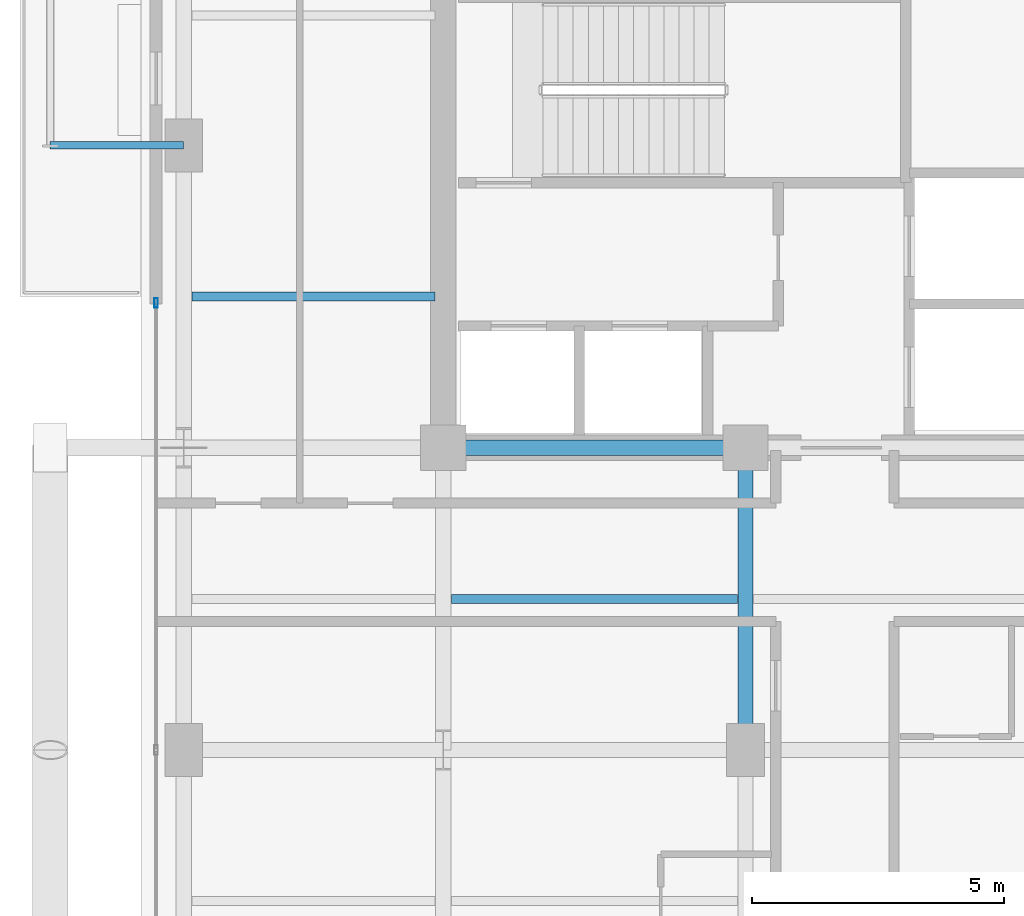
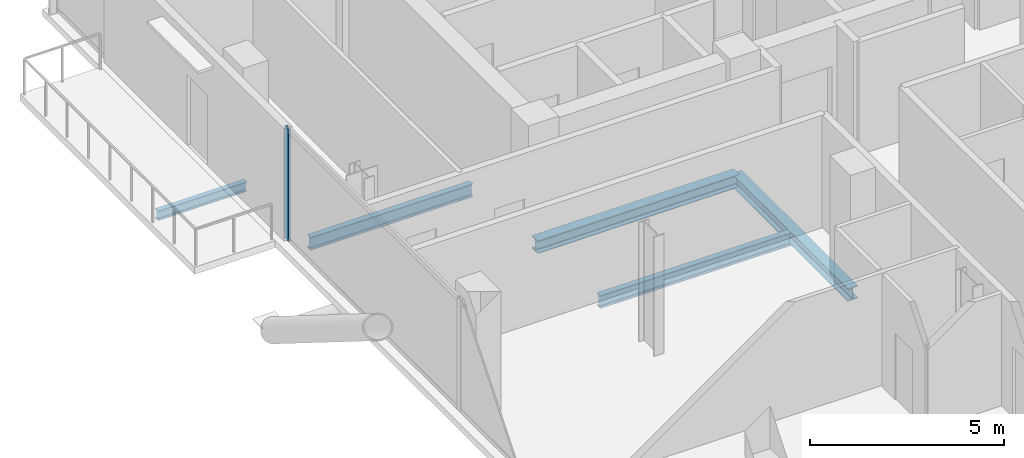
# One storey, part 7 of 25: 5 beams, 1 member, 1 element without a shape of its own.
"""IFC4 building model written with IfcOpenShell, lengths in metres."""

from ifc_helpers import new_model, si_unit, direction, frame, origin, origin_2d, place, context, subcontext, project, spatial, hollow_rectangle, i_section, extrude, material, layer, layer_set, material_profile, profile_set, type_object, element, aggregate, save


model = new_model("IFC4")

# Units and contexts
model_context = context("Model", 3, precision=1e-05, world=origin(), true_north=direction((0.0, 1.0)))
body_context = subcontext(model_context, "Body", "Model", "MODEL_VIEW")
ifc_project = project(units=[si_unit("LENGTHUNIT", "METRE"), si_unit("AREAUNIT", "SQUARE_METRE"), si_unit("VOLUMEUNIT", "CUBIC_METRE"), si_unit("PLANEANGLEUNIT", "RADIAN"), si_unit("MASSUNIT", "GRAM", prefix="KILO"), si_unit("THERMODYNAMICTEMPERATUREUNIT", "KELVIN"), si_unit("POWERUNIT", "WATT")], contexts=[model_context])

# Site, building, storey
site_placement = place(None, origin())
site = spatial("IfcSite", under=ifc_project, at=site_placement, CompositionType="ELEMENT")
building_placement = place(site_placement, origin())
building = spatial("IfcBuilding", under=site, at=building_placement, Name="Svarakhadi Broadcast Tower", CompositionType="ELEMENT")
storey_placement = place(building_placement, frame((0.0, 0.0, 212.39990234375)))
storey = spatial("IfcBuildingStorey", under=building, at=storey_placement, Name="L52", CompositionType="ELEMENT", Elevation=212.39990234375)

# Beams
ifc_material_1 = material(Name="Steel S355J2 (IS 2062 E350C)", Category="steel")
ifc_material_profile_1 = material_profile(ifc_material_1, i_section(OverallWidth=0.179931640625, OverallDepth=0.39990234375, WebThickness=0.008544921875, FlangeThickness=0.013427734375, FilletRadius=0.02099609375, at=origin_2d()), Name="NPB 400x180x66")
ifc_profile_set_1 = profile_set([ifc_material_profile_1], Name="Steel S355J2 (IS 2062 E350C)")
beam_type_1 = type_object("IfcBeamType", Name="Beam_NPB400", PredefinedType="BEAM", material=ifc_profile_set_1)
beam_1_placement = place(storey_placement, frame((1.010009765625, 21.0, -0.409912109375), z_axis=(1.0, 0.0, 0.0), x_axis=(0.0, 1.0, 0.0)))
element("IfcBeam", 1, at=beam_1_placement, inside=storey, type_object=beam_type_1, Name="L52 Secondary Composite Beam SB003", PredefinedType="BEAM", context=body_context, shape_type="SweptSolid", body=[
    extrude(i_section(OverallWidth=0.179931640625, OverallDepth=0.39990234375, WebThickness=0.008544921875, FlangeThickness=0.013427734375, FilletRadius=0.02099609375, at=origin_2d()), origin(), (0.0, 0.0, 1.0), 4.830078125),
])
beam_2_placement = place(storey_placement, frame((6.159912109375, 15.0, -0.409912109375), z_axis=(1.0, 0.0, 0.0), x_axis=(0.0, 1.0, 0.0)))
element("IfcBeam", 2, at=beam_2_placement, inside=storey, type_object=beam_type_1, Name="L52 Secondary Composite Beam SB007", PredefinedType="BEAM", context=body_context, shape_type="SweptSolid", body=[
    extrude(i_section(OverallWidth=0.179931640625, OverallDepth=0.39990234375, WebThickness=0.008544921875, FlangeThickness=0.013427734375, FilletRadius=0.02099609375, at=origin_2d()), origin(), (0.0, 0.0, 1.0), 5.68017578125),
])

# Curtain wall, member
ifc_material_2 = material(Name="Anodised Bronze Aluminium AA 6063-T6", Category="aluminium")
ifc_layer = layer(ifc_material_2, 0.18994140625)
ifc_layer_set = layer_set([ifc_layer], Name="Anodised Bronze Aluminium AA 6063-T6")
curtain_wall_type = type_object("IfcCurtainWallType", Name="CW_Sys_04", PredefinedType="NOTDEFINED", material=ifc_layer_set)
curtain_wall_placement = place(storey_placement, origin())
curtain_wall = element("IfcCurtainWall", 3, at=curtain_wall_placement, inside=storey, type_object=curtain_wall_type, Name="L52 West Curtain Wall 02", PredefinedType="NOTDEFINED")
ifc_material_profile_2 = material_profile(ifc_material_2, hollow_rectangle(XDim=0.070068359375, YDim=0.18994140625, WallThickness=0.005615234375, at=origin_2d()), Name="ALU MULLION 190x70x6")
ifc_profile_set_2 = profile_set([ifc_material_profile_2], Name="Anodised Bronze Aluminium AA 6063-T6")
member_type = type_object("IfcMemberType", Name="CW_Sys_04_Mul", PredefinedType="MULLION", material=ifc_profile_set_2)
member_placement = place(storey_placement, frame((0.300048828125, 20.875, 0.0), z_axis=(0.0, 0.0, 1.0), x_axis=(-1.0, 0.0, 0.0)))
member = element("IfcMember", 4, at=member_placement, type_object=member_type, Name="CW-04 mullion 3", PredefinedType="MULLION", context=body_context, shape_type="SweptSolid", body=[
    extrude(hollow_rectangle(XDim=0.070068359375, YDim=0.18994140625, WallThickness=0.005615234375, at=origin_2d()), origin(), (0.0, 0.0, 1.0), 3.5400390625),
])
aggregate(curtain_wall, [member])

# Beams
ifc_material_profile_3 = material_profile(ifc_material_1, i_section(OverallWidth=0.300048828125, OverallDepth=0.39990234375, WebThickness=0.013427734375, FlangeThickness=0.02392578125, FilletRadius=0.027099609375, at=origin_2d()), Name="WPB 400x300x155")
ifc_profile_set_3 = profile_set([ifc_material_profile_3], Name="Steel S355J2 (IS 2062 E350C)")
beam_type_2 = type_object("IfcBeamType", Name="Girder_WPB400", PredefinedType="USERDEFINED", material=ifc_profile_set_3)
for number, where, z_axis, x_axis, name in (
    (5, (6.0, 18.0, -0.409912109375), (1.0, 0.0, 0.0), (0.0, 1.0, 0.0), "L52 Primary E-W Girder G021"),
    (6, (12.0, 12.0, -0.409912109375), (0.0, 1.0, 0.0), (-1.0, 0.0, 0.0), "L52 Primary N-S Girder G044"),
):
    element("IfcBeam", number, at=place(storey_placement, frame(where, z_axis=z_axis, x_axis=x_axis)), inside=storey, type_object=beam_type_2, Name=name, ObjectType="GIRDER", PredefinedType="USERDEFINED", context=body_context, shape_type="SweptSolid", body=[
        extrude(i_section(OverallWidth=0.300048828125, OverallDepth=0.39990234375, WebThickness=0.013427734375, FlangeThickness=0.02392578125, FilletRadius=0.027099609375, at=origin_2d()), origin(), (0.0, 0.0, 1.0), 6.0),
    ])
ifc_material_profile_4 = material_profile(ifc_material_1, i_section(OverallWidth=0.14990234375, OverallDepth=0.300048828125, WebThickness=0.007080078125, FlangeThickness=0.0107421875, FilletRadius=0.014892578125, at=origin_2d()), Name="NPB 300x150x37")
ifc_profile_set_4 = profile_set([ifc_material_profile_4], Name="Steel S355J2 (IS 2062 E350C)")
beam_type_3 = type_object("IfcBeamType", Name="Spandrel_NPB300", PredefinedType="SPANDREL", material=ifc_profile_set_4)
beam_3_placement = place(storey_placement, frame((0.85009765625, 24.0, -0.375), z_axis=(-1.0, 0.0, 0.0), x_axis=(0.0, -1.0, 0.0)))
element("IfcBeam", 7, at=beam_3_placement, inside=storey, type_object=beam_type_3, Name="L52 Balcony Cantilever Bracket 2A", PredefinedType="SPANDREL", context=body_context, shape_type="SweptSolid", body=[
    extrude(i_section(OverallWidth=0.14990234375, OverallDepth=0.300048828125, WebThickness=0.007080078125, FlangeThickness=0.0107421875, FilletRadius=0.014892578125, at=origin_2d()), origin(), (0.0, 0.0, 1.0), 2.650146484375),
])

save(model, "model.ifc")
